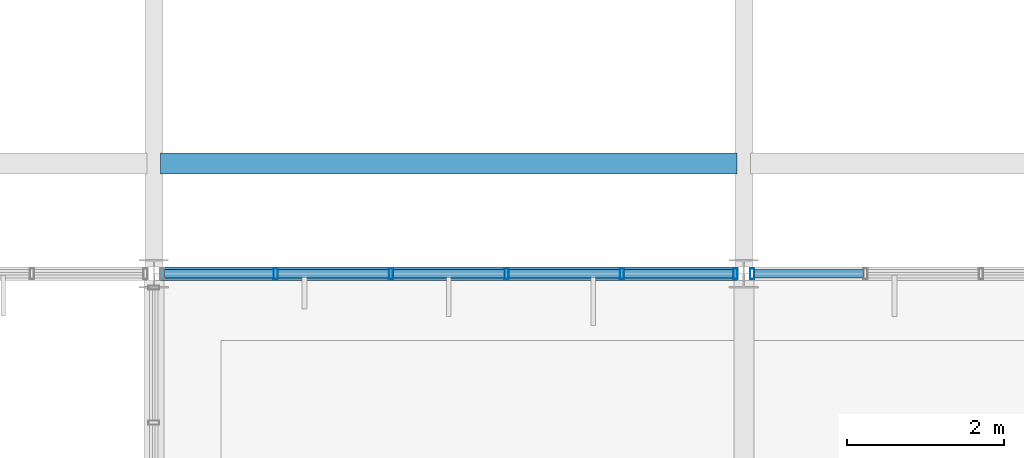
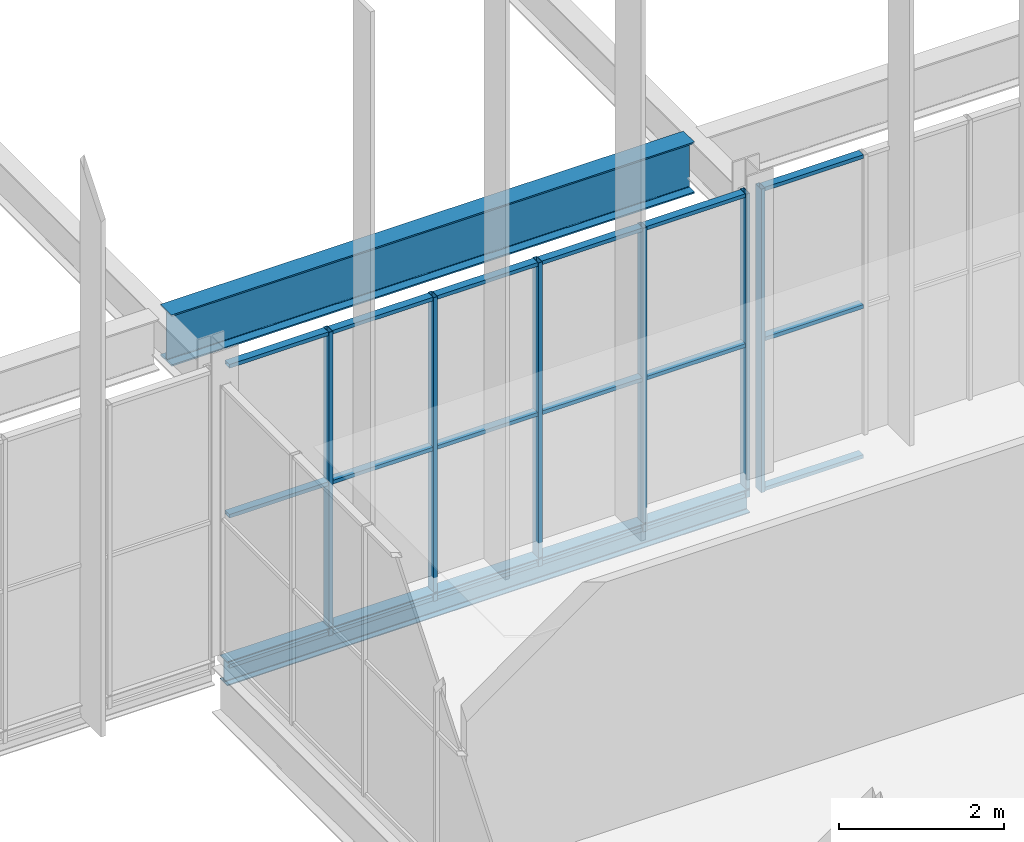
# One storey, part 180 of 324: 24 members, 2 beams, 2 elements without a shape of their own.
"""IFC4 building model written with IfcOpenShell, lengths in metres."""

from ifc_helpers import new_model, si_unit, direction, frame, origin, origin_2d, place, context, subcontext, project, spatial, hollow_rectangle, i_section, extrude, material, layer, layer_set, material_profile, profile_set, type_object, element, aggregate, save


model = new_model("IFC4")

# Units and contexts
model_context = context("Model", 3, precision=1e-05, world=origin(), true_north=direction((0.0, 1.0)))
body_context = subcontext(model_context, "Body", "Model", "MODEL_VIEW")
ifc_project = project(units=[si_unit("LENGTHUNIT", "METRE"), si_unit("AREAUNIT", "SQUARE_METRE"), si_unit("VOLUMEUNIT", "CUBIC_METRE"), si_unit("PLANEANGLEUNIT", "RADIAN"), si_unit("MASSUNIT", "GRAM", prefix="KILO")], contexts=[model_context])

# Site, building, storey
site_placement = place(None, origin())
site = spatial("IfcSite", under=ifc_project, at=site_placement, CompositionType="ELEMENT")
building_placement = place(site_placement, origin())
building = spatial("IfcBuilding", under=site, at=building_placement, Name="Solvenia Promenade Tram Depot", CompositionType="ELEMENT")
storey_placement = place(building_placement, frame((0.0, 0.0, 4.5)))
storey = spatial("IfcBuildingStorey", under=building, at=storey_placement, Name="L01", CompositionType="ELEMENT", Elevation=4.5)

# Curtain wall, members
ifc_material_1 = material(Name="Anodized aluminium AW-6063 T6", Category="aluminium")
ifc_layer = layer(ifc_material_1, 0.080078125, Name="Anodized aluminium AW-6063 T6", Category="aluminium")
ifc_layer_set = layer_set([ifc_layer], Name="Anodized aluminium AW-6063 T6")
curtain_wall_type = type_object("IfcCurtainWallType", Name="CW-Clerest-1500", PredefinedType="NOTDEFINED", material=ifc_layer_set)
curtain_wall_1_placement = place(storey_placement, origin())
curtain_wall_1 = element("IfcCurtainWall", 1, at=curtain_wall_1_placement, inside=storey, type_object=curtain_wall_type, Name="Curtain Wall CW-V2S-L1-05", PredefinedType="NOTDEFINED")
ifc_material_profile_1 = material_profile(ifc_material_1, hollow_rectangle(XDim=0.139892578125, YDim=0.054931640625, WallThickness=0.00390625, at=origin_2d()), Name="ALU-M4", Category="aluminium")
ifc_profile_set_1 = profile_set([ifc_material_profile_1], Name="Anodized aluminium AW-6063 T6")
member_type_1 = type_object("IfcMemberType", Name="CWM-Mullion-4", PredefinedType="MULLION", material=ifc_profile_set_1)
member_1_placement = place(storey_placement, frame((136.548095703125, 24.0, -0.35009765625), z_axis=(0.0, 0.0, 1.0), x_axis=(0.0, 1.0, 0.0)))
member_1 = element("IfcMember", 2, at=member_1_placement, type_object=member_type_1, Name="CW-4 mullion 2", PredefinedType="MULLION", context=body_context, shape_type="SweptSolid", body=[
    extrude(hollow_rectangle(XDim=0.139892578125, YDim=0.054931640625, WallThickness=0.00390625, at=origin_2d()), origin(), (0.0, 0.0, 1.0), 4.5),
])
member_2_placement = place(storey_placement, frame((138.01611328125, 24.0, -0.35009765625), z_axis=(0.0, 0.0, 1.0), x_axis=(0.0, 1.0, 0.0)))
member_2 = element("IfcMember", 3, at=member_2_placement, type_object=member_type_1, Name="CW-4 mullion 3", PredefinedType="MULLION", context=body_context, shape_type="SweptSolid", body=[
    extrude(hollow_rectangle(XDim=0.139892578125, YDim=0.054931640625, WallThickness=0.00390625, at=origin_2d()), origin(), (0.0, 0.0, 1.0), 4.5),
])
member_3_placement = place(storey_placement, frame((139.48388671875, 24.0, -0.35009765625), z_axis=(0.0, 0.0, 1.0), x_axis=(0.0, 1.0, 0.0)))
member_3 = element("IfcMember", 4, at=member_3_placement, type_object=member_type_1, Name="CW-4 mullion 4", PredefinedType="MULLION", context=body_context, shape_type="SweptSolid", body=[
    extrude(hollow_rectangle(XDim=0.139892578125, YDim=0.054931640625, WallThickness=0.00390625, at=origin_2d()), origin(), (0.0, 0.0, 1.0), 4.5),
])
member_4_placement = place(storey_placement, frame((140.951904296875, 24.0, -0.35009765625), z_axis=(0.0, 0.0, 1.0), x_axis=(0.0, 1.0, 0.0)))
member_4 = element("IfcMember", 5, at=member_4_placement, type_object=member_type_1, Name="CW-4 mullion 5", PredefinedType="MULLION", context=body_context, shape_type="SweptSolid", body=[
    extrude(hollow_rectangle(XDim=0.139892578125, YDim=0.054931640625, WallThickness=0.00390625, at=origin_2d()), origin(), (0.0, 0.0, 1.0), 4.5),
])
member_5_placement = place(storey_placement, frame((142.392578125, 24.0, -0.35009765625), z_axis=(0.0, 0.0, 1.0), x_axis=(0.0, 1.0, 0.0)))
member_5 = element("IfcMember", 6, at=member_5_placement, type_object=member_type_1, Name="CW-4 mullion 6", PredefinedType="MULLION", context=body_context, shape_type="SweptSolid", body=[
    extrude(hollow_rectangle(XDim=0.139892578125, YDim=0.054931640625, WallThickness=0.00390625, at=origin_2d()), origin(), (0.0, 0.0, 1.0), 4.5),
])

# Curtain wall, member
curtain_wall_2_placement = place(storey_placement, origin())
curtain_wall_2 = element("IfcCurtainWall", 7, at=curtain_wall_2_placement, inside=storey, type_object=curtain_wall_type, Name="Curtain Wall CW-V2S-L1-06", PredefinedType="NOTDEFINED")
member_6_placement = place(storey_placement, frame((142.607421875, 24.0, -0.35009765625), z_axis=(0.0, 0.0, 1.0), x_axis=(0.0, 1.0, 0.0)))
member_6 = element("IfcMember", 8, at=member_6_placement, type_object=member_type_1, Name="CW-4 mullion 1", PredefinedType="MULLION", context=body_context, shape_type="SweptSolid", body=[
    extrude(hollow_rectangle(XDim=0.139892578125, YDim=0.054931640625, WallThickness=0.00390625, at=origin_2d()), origin(), (0.0, 0.0, 1.0), 4.5),
])

# Member
ifc_material_profile_2 = material_profile(ifc_material_1, hollow_rectangle(XDim=0.110107421875, YDim=0.054931640625, WallThickness=0.00390625, at=origin_2d()), Name="ALU-T4", Category="aluminium")
ifc_profile_set_2 = profile_set([ifc_material_profile_2], Name="Anodized aluminium AW-6063 T6")
member_type_2 = type_object("IfcMemberType", Name="CWT-Transom-4", PredefinedType="USERDEFINED", material=ifc_profile_set_2)
member_7_placement = place(storey_placement, frame((135.135009765625, 24.0, -0.322509765625), z_axis=(1.0, 0.0, 0.0), x_axis=(0.0, 1.0, 0.0)))
member_7 = element("IfcMember", 9, at=member_7_placement, type_object=member_type_2, Name="CW-4 transom 1.1", ObjectType="TRANSOM", PredefinedType="USERDEFINED", context=body_context, shape_type="SweptSolid", body=[
    extrude(hollow_rectangle(XDim=0.110107421875, YDim=0.054931640625, WallThickness=0.00390625, at=origin_2d()), origin(), (0.0, 0.0, 1.0), 1.385498046875),
])

member_8_placement = place(storey_placement, frame((135.135009765625, 24.0, 1.89990234375), z_axis=(1.0, 0.0, 0.0), x_axis=(0.0, 1.0, 0.0)))
member_8 = element("IfcMember", 10, at=member_8_placement, type_object=member_type_2, Name="CW-4 transom 1.2", ObjectType="TRANSOM", PredefinedType="USERDEFINED", context=body_context, shape_type="SweptSolid", body=[
    extrude(hollow_rectangle(XDim=0.110107421875, YDim=0.054931640625, WallThickness=0.00390625, at=origin_2d()), origin(), (0.0, 0.0, 1.0), 1.385498046875),
])

member_9_placement = place(storey_placement, frame((135.135009765625, 24.0, 4.12255859375), z_axis=(1.0, 0.0, 0.0), x_axis=(0.0, 1.0, 0.0)))
member_9 = element("IfcMember", 11, at=member_9_placement, type_object=member_type_2, Name="CW-4 transom 1.3", ObjectType="TRANSOM", PredefinedType="USERDEFINED", context=body_context, shape_type="SweptSolid", body=[
    extrude(hollow_rectangle(XDim=0.110107421875, YDim=0.054931640625, WallThickness=0.00390625, at=origin_2d()), origin(), (0.0, 0.0, 1.0), 1.385498046875),
])

member_10_placement = place(storey_placement, frame((136.575439453125, 24.0, -0.322509765625), z_axis=(1.0, 0.0, 0.0), x_axis=(0.0, 1.0, 0.0)))
member_10 = element("IfcMember", 12, at=member_10_placement, type_object=member_type_2, Name="CW-4 transom 2.1", ObjectType="TRANSOM", PredefinedType="USERDEFINED", context=body_context, shape_type="SweptSolid", body=[
    extrude(hollow_rectangle(XDim=0.110107421875, YDim=0.054931640625, WallThickness=0.00390625, at=origin_2d()), origin(), (0.0, 0.0, 1.0), 1.4130859375),
])

member_11_placement = place(storey_placement, frame((136.575439453125, 24.0, 1.89990234375), z_axis=(1.0, 0.0, 0.0), x_axis=(0.0, 1.0, 0.0)))
member_11 = element("IfcMember", 13, at=member_11_placement, type_object=member_type_2, Name="CW-4 transom 2.2", ObjectType="TRANSOM", PredefinedType="USERDEFINED", context=body_context, shape_type="SweptSolid", body=[
    extrude(hollow_rectangle(XDim=0.110107421875, YDim=0.054931640625, WallThickness=0.00390625, at=origin_2d()), origin(), (0.0, 0.0, 1.0), 1.4130859375),
])

member_12_placement = place(storey_placement, frame((136.575439453125, 24.0, 4.12255859375), z_axis=(1.0, 0.0, 0.0), x_axis=(0.0, 1.0, 0.0)))
member_12 = element("IfcMember", 14, at=member_12_placement, type_object=member_type_2, Name="CW-4 transom 2.3", ObjectType="TRANSOM", PredefinedType="USERDEFINED", context=body_context, shape_type="SweptSolid", body=[
    extrude(hollow_rectangle(XDim=0.110107421875, YDim=0.054931640625, WallThickness=0.00390625, at=origin_2d()), origin(), (0.0, 0.0, 1.0), 1.4130859375),
])

member_13_placement = place(storey_placement, frame((138.04345703125, 24.0, -0.322509765625), z_axis=(1.0, 0.0, 0.0), x_axis=(0.0, 1.0, 0.0)))
member_13 = element("IfcMember", 15, at=member_13_placement, type_object=member_type_2, Name="CW-4 transom 3.1", ObjectType="TRANSOM", PredefinedType="USERDEFINED", context=body_context, shape_type="SweptSolid", body=[
    extrude(hollow_rectangle(XDim=0.110107421875, YDim=0.054931640625, WallThickness=0.00390625, at=origin_2d()), origin(), (0.0, 0.0, 1.0), 1.4130859375),
])

member_14_placement = place(storey_placement, frame((138.04345703125, 24.0, 1.89990234375), z_axis=(1.0, 0.0, 0.0), x_axis=(0.0, 1.0, 0.0)))
member_14 = element("IfcMember", 16, at=member_14_placement, type_object=member_type_2, Name="CW-4 transom 3.2", ObjectType="TRANSOM", PredefinedType="USERDEFINED", context=body_context, shape_type="SweptSolid", body=[
    extrude(hollow_rectangle(XDim=0.110107421875, YDim=0.054931640625, WallThickness=0.00390625, at=origin_2d()), origin(), (0.0, 0.0, 1.0), 1.4130859375),
])

member_15_placement = place(storey_placement, frame((138.04345703125, 24.0, 4.12255859375), z_axis=(1.0, 0.0, 0.0), x_axis=(0.0, 1.0, 0.0)))
member_15 = element("IfcMember", 17, at=member_15_placement, type_object=member_type_2, Name="CW-4 transom 3.3", ObjectType="TRANSOM", PredefinedType="USERDEFINED", context=body_context, shape_type="SweptSolid", body=[
    extrude(hollow_rectangle(XDim=0.110107421875, YDim=0.054931640625, WallThickness=0.00390625, at=origin_2d()), origin(), (0.0, 0.0, 1.0), 1.4130859375),
])

member_16_placement = place(storey_placement, frame((139.511474609375, 24.0, -0.322509765625), z_axis=(1.0, 0.0, 0.0), x_axis=(0.0, 1.0, 0.0)))
member_16 = element("IfcMember", 18, at=member_16_placement, type_object=member_type_2, Name="CW-4 transom 4.1", ObjectType="TRANSOM", PredefinedType="USERDEFINED", context=body_context, shape_type="SweptSolid", body=[
    extrude(hollow_rectangle(XDim=0.110107421875, YDim=0.054931640625, WallThickness=0.00390625, at=origin_2d()), origin(), (0.0, 0.0, 1.0), 1.4130859375),
])

member_17_placement = place(storey_placement, frame((139.511474609375, 24.0, 1.89990234375), z_axis=(1.0, 0.0, 0.0), x_axis=(0.0, 1.0, 0.0)))
member_17 = element("IfcMember", 19, at=member_17_placement, type_object=member_type_2, Name="CW-4 transom 4.2", ObjectType="TRANSOM", PredefinedType="USERDEFINED", context=body_context, shape_type="SweptSolid", body=[
    extrude(hollow_rectangle(XDim=0.110107421875, YDim=0.054931640625, WallThickness=0.00390625, at=origin_2d()), origin(), (0.0, 0.0, 1.0), 1.4130859375),
])

member_18_placement = place(storey_placement, frame((139.511474609375, 24.0, 4.12255859375), z_axis=(1.0, 0.0, 0.0), x_axis=(0.0, 1.0, 0.0)))
member_18 = element("IfcMember", 20, at=member_18_placement, type_object=member_type_2, Name="CW-4 transom 4.3", ObjectType="TRANSOM", PredefinedType="USERDEFINED", context=body_context, shape_type="SweptSolid", body=[
    extrude(hollow_rectangle(XDim=0.110107421875, YDim=0.054931640625, WallThickness=0.00390625, at=origin_2d()), origin(), (0.0, 0.0, 1.0), 1.4130859375),
])

member_19_placement = place(storey_placement, frame((140.9794921875, 24.0, -0.322509765625), z_axis=(1.0, 0.0, 0.0), x_axis=(0.0, 1.0, 0.0)))
member_19 = element("IfcMember", 21, at=member_19_placement, type_object=member_type_2, Name="CW-4 transom 5.1", ObjectType="TRANSOM", PredefinedType="USERDEFINED", context=body_context, shape_type="SweptSolid", body=[
    extrude(hollow_rectangle(XDim=0.110107421875, YDim=0.054931640625, WallThickness=0.00390625, at=origin_2d()), origin(), (0.0, 0.0, 1.0), 1.385498046875),
])

member_20_placement = place(storey_placement, frame((140.9794921875, 24.0, 1.89990234375), z_axis=(1.0, 0.0, 0.0), x_axis=(0.0, 1.0, 0.0)))
member_20 = element("IfcMember", 22, at=member_20_placement, type_object=member_type_2, Name="CW-4 transom 5.2", ObjectType="TRANSOM", PredefinedType="USERDEFINED", context=body_context, shape_type="SweptSolid", body=[
    extrude(hollow_rectangle(XDim=0.110107421875, YDim=0.054931640625, WallThickness=0.00390625, at=origin_2d()), origin(), (0.0, 0.0, 1.0), 1.385498046875),
])

member_21_placement = place(storey_placement, frame((140.9794921875, 24.0, 4.12255859375), z_axis=(1.0, 0.0, 0.0), x_axis=(0.0, 1.0, 0.0)))
member_21 = element("IfcMember", 23, at=member_21_placement, type_object=member_type_2, Name="CW-4 transom 5.3", ObjectType="TRANSOM", PredefinedType="USERDEFINED", context=body_context, shape_type="SweptSolid", body=[
    extrude(hollow_rectangle(XDim=0.110107421875, YDim=0.054931640625, WallThickness=0.00390625, at=origin_2d()), origin(), (0.0, 0.0, 1.0), 1.385498046875),
])

aggregate(curtain_wall_1, [member_1, member_2, member_3, member_4, member_5, member_7, member_8, member_9, member_10, member_11, member_12, member_13, member_14, member_15, member_16, member_17, member_18, member_19, member_20, member_21])

member_22_placement = place(storey_placement, frame((142.635009765625, 24.0, -0.322509765625), z_axis=(1.0, 0.0, 0.0), x_axis=(0.0, 1.0, 0.0)))
member_22 = element("IfcMember", 24, at=member_22_placement, type_object=member_type_2, Name="CW-4 transom 1.1", ObjectType="TRANSOM", PredefinedType="USERDEFINED", context=body_context, shape_type="SweptSolid", body=[
    extrude(hollow_rectangle(XDim=0.110107421875, YDim=0.054931640625, WallThickness=0.00390625, at=origin_2d()), origin(), (0.0, 0.0, 1.0), 1.385498046875),
])

member_23_placement = place(storey_placement, frame((142.635009765625, 24.0, 1.89990234375), z_axis=(1.0, 0.0, 0.0), x_axis=(0.0, 1.0, 0.0)))
member_23 = element("IfcMember", 25, at=member_23_placement, type_object=member_type_2, Name="CW-4 transom 1.2", ObjectType="TRANSOM", PredefinedType="USERDEFINED", context=body_context, shape_type="SweptSolid", body=[
    extrude(hollow_rectangle(XDim=0.110107421875, YDim=0.054931640625, WallThickness=0.00390625, at=origin_2d()), origin(), (0.0, 0.0, 1.0), 1.385498046875),
])

member_24_placement = place(storey_placement, frame((142.635009765625, 24.0, 4.12255859375), z_axis=(1.0, 0.0, 0.0), x_axis=(0.0, 1.0, 0.0)))
member_24 = element("IfcMember", 26, at=member_24_placement, type_object=member_type_2, Name="CW-4 transom 1.3", ObjectType="TRANSOM", PredefinedType="USERDEFINED", context=body_context, shape_type="SweptSolid", body=[
    extrude(hollow_rectangle(XDim=0.110107421875, YDim=0.054931640625, WallThickness=0.00390625, at=origin_2d()), origin(), (0.0, 0.0, 1.0), 1.385498046875),
])

aggregate(curtain_wall_2, [member_6, member_22, member_23, member_24])

# Beams
ifc_material_2 = material(Name="Structural steel ASTM A992 Gr. 50", Category="steel")
ifc_material_profile_3 = material_profile(ifc_material_2, i_section(OverallWidth=0.26708984375, OverallDepth=0.761962890625, WebThickness=0.014404296875, FlangeThickness=0.021484375, FilletRadius=0.01806640625, at=origin_2d()), Name="W760x173", Category="steel")
ifc_profile_set_3 = profile_set([ifc_material_profile_3], Name="Structural steel ASTM A992 Gr. 50")
beam_type_1 = type_object("IfcBeamType", Name="Gird-W760x173", PredefinedType="BEAM", material=ifc_profile_set_3)
beam_1_placement = place(storey_placement, frame((135.0849609375, 25.39990234375, 3.718994140625), z_axis=(1.0, 0.0, 0.0), x_axis=(0.0, 1.0, 0.0)))
element("IfcBeam", 27, at=beam_1_placement, inside=storey, type_object=beam_type_1, Name="Bridge Crane Runway Girder BM-L01-0920", PredefinedType="BEAM", context=body_context, shape_type="SweptSolid", body=[
    extrude(i_section(OverallWidth=0.26708984375, OverallDepth=0.761962890625, WebThickness=0.014404296875, FlangeThickness=0.021484375, FilletRadius=0.01806640625, at=origin_2d()), origin(), (0.0, 0.0, 1.0), 7.330078125),
])
ifc_material_profile_4 = material_profile(ifc_material_2, i_section(OverallWidth=0.172119140625, OverallDepth=0.35791015625, WebThickness=0.0078125, FlangeThickness=0.01318359375, FilletRadius=0.010986328125, at=origin_2d()), Name="W360x57", Category="steel")
ifc_profile_set_4 = profile_set([ifc_material_profile_4], Name="Structural steel ASTM A992 Gr. 50")
beam_type_2 = type_object("IfcBeamType", Name="Spandrel-W360x57", PredefinedType="SPANDREL", material=ifc_profile_set_4)
beam_2_placement = place(storey_placement, frame((135.0849609375, 24.0, -0.39892578125), z_axis=(1.0, 0.0, 0.0), x_axis=(0.0, 1.0, 0.0)))
element("IfcBeam", 28, at=beam_2_placement, inside=storey, type_object=beam_type_2, Name="Perimeter Spandrel BM-L01-0419", PredefinedType="SPANDREL", context=body_context, shape_type="SweptSolid", body=[
    extrude(i_section(OverallWidth=0.172119140625, OverallDepth=0.35791015625, WebThickness=0.0078125, FlangeThickness=0.01318359375, FilletRadius=0.010986328125, at=origin_2d()), origin(), (0.0, 0.0, 1.0), 7.330078125),
])

save(model, "model.ifc")
